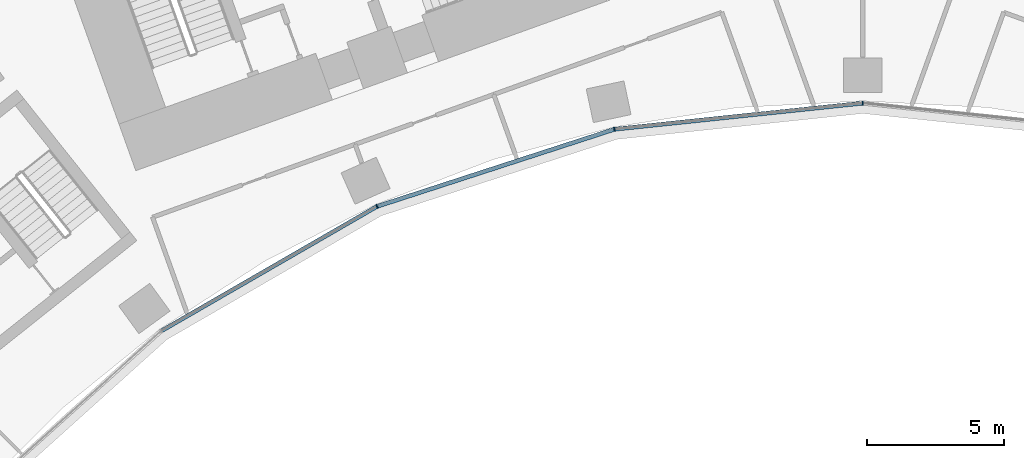
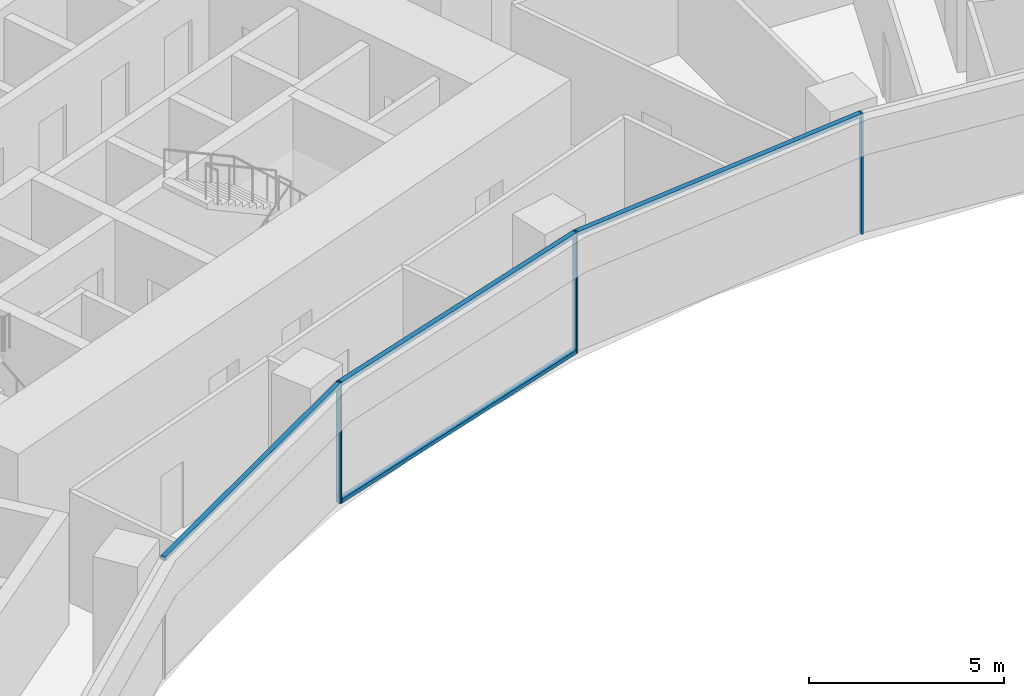
# One storey, part 5 of 24: 7 members, 1 element without a shape of its own.
"""IFC4 building model written with IfcOpenShell, lengths in metres."""

from ifc_helpers import new_model, si_unit, direction, frame, origin, origin_2d, place, context, subcontext, project, spatial, rectangle, extrude, material, layer, layer_set, material_profile, profile_set, type_object, element, aggregate, save


model = new_model("IFC4")

# Units and contexts
model_context = context("Model", 3, precision=1e-05, world=origin(), true_north=direction((0.0, 1.0)))
body_context = subcontext(model_context, "Body", "Model", "MODEL_VIEW")
ifc_project = project(units=[si_unit("LENGTHUNIT", "METRE"), si_unit("AREAUNIT", "SQUARE_METRE"), si_unit("VOLUMEUNIT", "CUBIC_METRE"), si_unit("PLANEANGLEUNIT", "RADIAN"), si_unit("MASSUNIT", "GRAM", prefix="KILO")], contexts=[model_context])

# Site, building, storey
site_placement = place(None, origin())
site = spatial("IfcSite", under=ifc_project, at=site_placement, CompositionType="ELEMENT")
building_placement = place(site_placement, origin())
building = spatial("IfcBuilding", under=site, at=building_placement, Name="Stone Belt Terrace Tower", CompositionType="ELEMENT")
storey_placement = place(building_placement, frame((0.0, 0.0, 41.39990234375)))
storey = spatial("IfcBuildingStorey", under=building, at=storey_placement, Name="L09", CompositionType="ELEMENT", Elevation=41.39990234375)

# Curtain wall, members
ifc_material = material(Name="Aluminium 6063-T6 anodised frame", Category="aluminium")
ifc_layer = layer(ifc_material, 0.14990234375)
ifc_layer_set = layer_set([ifc_layer], Name="CW-B unitised concave-face curtain wall")
curtain_wall_type = type_object("IfcCurtainWallType", Name="CW-B unitised concave-face curtain wall", PredefinedType="NOTDEFINED", material=ifc_layer_set)
curtain_wall_placement = place(storey_placement, origin())
curtain_wall = element("IfcCurtainWall", 1, at=curtain_wall_placement, inside=storey, type_object=curtain_wall_type, Name="CW-B concave face L09", PredefinedType="NOTDEFINED")
ifc_material_profile_1 = material_profile(ifc_material, rectangle(XDim=0.14990234375, YDim=0.050048828125, at=origin_2d()), Name="Aluminium 6063-T6 50x150")
ifc_profile_set_1 = profile_set([ifc_material_profile_1], Name="Aluminium 6063-T6 anodised frame")
member_type_1 = type_object("IfcMemberType", Name="CW-B mullion 50 x 150", PredefinedType="MULLION", material=ifc_profile_set_1)
member_1_placement = place(storey_placement, frame((-17.662353515625, 39.67041015625, 0.0), z_axis=(0.0, 0.0, 1.0), x_axis=(-0.406736643076, 0.913545457643, 0.0)))
member_1 = element("IfcMember", 2, at=member_1_placement, type_object=member_type_1, Name="CW-B mullion 4", PredefinedType="MULLION", context=body_context, shape_type="SweptSolid", body=[
    extrude(rectangle(XDim=0.14990234375, YDim=0.050048828125, at=origin_2d()), origin(), (0.0, 0.0, 1.0), 3.800048828125),
])
member_2_placement = place(storey_placement, frame((-9.028564453125, 42.4755859375, 0.0), z_axis=(0.0, 0.0, 1.0), x_axis=(-0.207911690818, 0.978147600734, 0.0)))
member_2 = element("IfcMember", 3, at=member_2_placement, type_object=member_type_1, Name="CW-B mullion 5", PredefinedType="MULLION", context=body_context, shape_type="SweptSolid", body=[
    extrude(rectangle(XDim=0.14990234375, YDim=0.050048828125, at=origin_2d()), origin(), (0.0, 0.0, 1.0), 3.800048828125),
])
member_3_placement = place(storey_placement, frame((0.0, 43.424560546875, 0.0), z_axis=(0.0, 0.0, 1.0), x_axis=(0.0, 1.0, 0.0)))
member_3 = element("IfcMember", 4, at=member_3_placement, type_object=member_type_1, Name="CW-B mullion 6", PredefinedType="MULLION", context=body_context, shape_type="SweptSolid", body=[
    extrude(rectangle(XDim=0.14990234375, YDim=0.050048828125, at=origin_2d()), origin(), (0.0, 0.0, 1.0), 3.800048828125),
])
ifc_material_profile_2 = material_profile(ifc_material, rectangle(XDim=0.14990234375, YDim=0.1201171875, at=origin_2d()), Name="Aluminium 6063-T6 150x120")
ifc_profile_set_2 = profile_set([ifc_material_profile_2], Name="Aluminium 6063-T6 anodised frame")
member_type_2 = type_object("IfcMemberType", Name="CW-B transom 120 x 150", PredefinedType="USERDEFINED", material=ifc_profile_set_2)
member_4_placement = place(storey_placement, frame((-25.49609375, 35.1474609375, 3.739990234375), z_axis=(0.866019133895, 0.500010859609, 0.0), x_axis=(-0.500010859609, 0.866019133895, 0.0)))
member_4 = element("IfcMember", 5, at=member_4_placement, type_object=member_type_2, Name="CW-B transom 3.1", ObjectType="TRANSOM", PredefinedType="USERDEFINED", context=body_context, shape_type="SweptSolid", body=[
    extrude(rectangle(XDim=0.14990234375, YDim=0.1201171875, at=origin_2d()), origin(), (0.0, 0.0, 1.0), 9.012939453125),
])
member_5_placement = place(storey_placement, frame((-17.63134765625, 39.680419921875, 0.06005859375), z_axis=(0.951055963285, 0.309018696359, 0.0), x_axis=(-0.309018696359, 0.951055963285, 0.0)))
member_5 = element("IfcMember", 6, at=member_5_placement, type_object=member_type_2, Name="CW-B transom 4.1", ObjectType="TRANSOM", PredefinedType="USERDEFINED", context=body_context, shape_type="SweptSolid", body=[
    extrude(rectangle(XDim=0.14990234375, YDim=0.1201171875, at=origin_2d()), origin(), (0.0, 0.0, 1.0), 9.012939453125),
])
member_6_placement = place(storey_placement, frame((-17.63134765625, 39.680419921875, 3.739990234375), z_axis=(0.951055963285, 0.309018696359, 0.0), x_axis=(-0.309018696359, 0.951055963285, 0.0)))
member_6 = element("IfcMember", 7, at=member_6_placement, type_object=member_type_2, Name="CW-B transom 4.2", ObjectType="TRANSOM", PredefinedType="USERDEFINED", context=body_context, shape_type="SweptSolid", body=[
    extrude(rectangle(XDim=0.14990234375, YDim=0.1201171875, at=origin_2d()), origin(), (0.0, 0.0, 1.0), 9.012939453125),
])
member_7_placement = place(storey_placement, frame((-8.995849609375, 42.47900390625, 3.739990234375), z_axis=(0.994521323407, 0.104533904969, 0.0), x_axis=(-0.104533904969, 0.994521323407, 0.0)))
member_7 = element("IfcMember", 8, at=member_7_placement, type_object=member_type_2, Name="CW-B transom 5.1", ObjectType="TRANSOM", PredefinedType="USERDEFINED", context=body_context, shape_type="SweptSolid", body=[
    extrude(rectangle(XDim=0.14990234375, YDim=0.1201171875, at=origin_2d()), origin(), (0.0, 0.0, 1.0), 9.0126953125),
])
aggregate(curtain_wall, [member_1, member_2, member_3, member_4, member_5, member_6, member_7])

save(model, "model.ifc")
